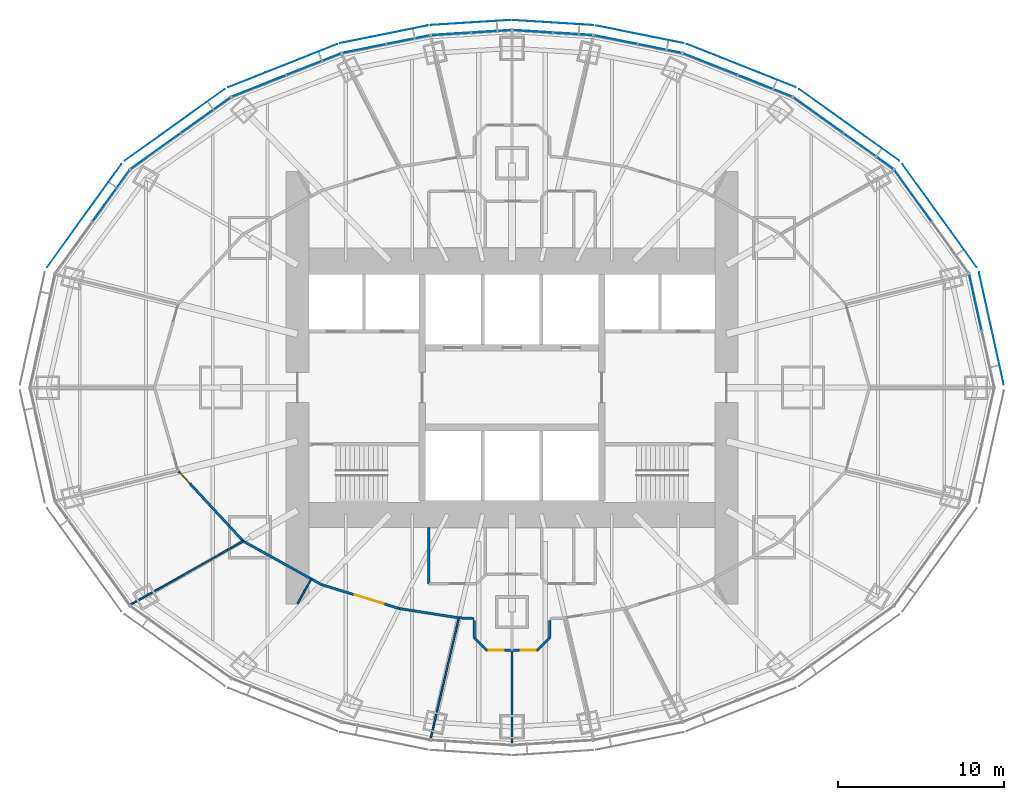
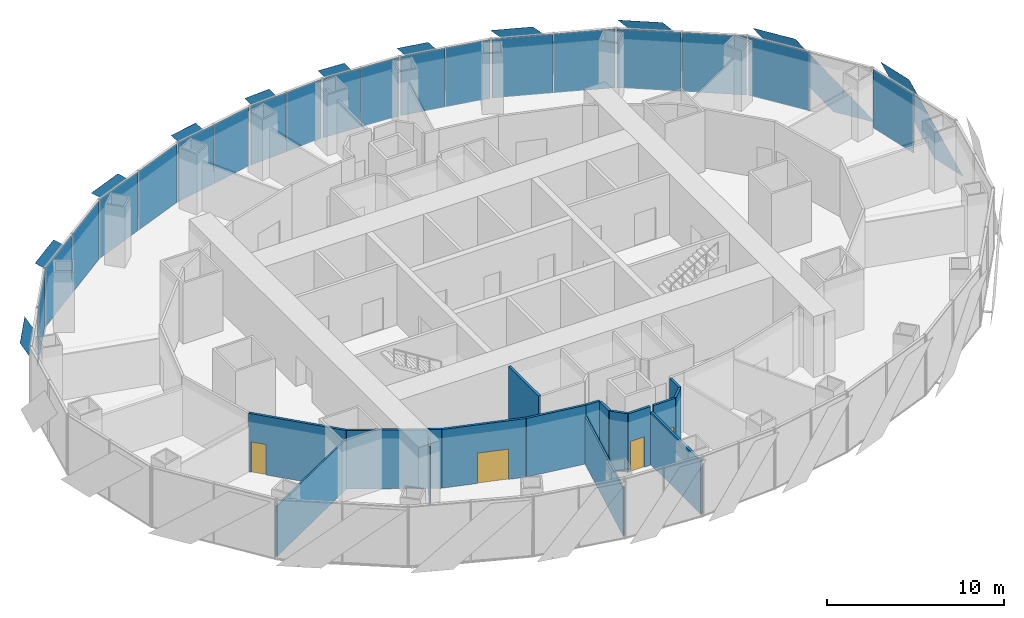
# One storey, part 10 of 17: 30 plates, 16 walls, 4 doors, 4 openings, 11 elements without a shape of their own.
"""IFC4 building model written with IfcOpenShell, lengths in metres."""

from ifc_helpers import new_model, si_unit, direction, frame, frame_2d, origin, origin_2d, place, context, subcontext, project, spatial, polyline, rectangle, outline, extrude, material, layer, layer_set, type_object, element, fill, aggregate, save


model = new_model("IFC4")

# Units and contexts
model_context = context("Model", 3, precision=1e-05, world=origin(), true_north=direction((0.0, 1.0)))
body_context = subcontext(model_context, "Body", "Model", "MODEL_VIEW")
ifc_project = project(units=[si_unit("LENGTHUNIT", "METRE"), si_unit("AREAUNIT", "SQUARE_METRE"), si_unit("VOLUMEUNIT", "CUBIC_METRE"), si_unit("PLANEANGLEUNIT", "RADIAN"), si_unit("MASSUNIT", "GRAM", prefix="KILO")], contexts=[model_context])

# Site, building, storey
site_placement = place(None, origin())
site = spatial("IfcSite", under=ifc_project, at=site_placement, CompositionType="ELEMENT")
building_placement = place(site_placement, origin())
building = spatial("IfcBuilding", under=site, at=building_placement, Name="Lantaw Convention Tower", CompositionType="ELEMENT")
storey_placement = place(building_placement, frame((0.0, 0.0, 159.39990234375)))
storey = spatial("IfcBuildingStorey", under=building, at=storey_placement, Name="L37", CompositionType="ELEMENT", Elevation=159.39990234375)

# Curtain wall, plate
ifc_material_1 = material(Name="Aluminium framed curtain wall", Category="aluminium")
curtain_wall_type = type_object("IfcCurtainWallType", Name="Office curtain wall low rise, pale aluminium", PredefinedType="USERDEFINED", material=ifc_material_1)
curtain_wall_1_placement = place(storey_placement, origin())
curtain_wall_1 = element("IfcCurtainWall", 1, at=curtain_wall_1_placement, inside=storey, type_object=curtain_wall_type, Name="Office curtain wall low rise, pale aluminium L37", ObjectType="UNITISED CURTAIN WALL", PredefinedType="USERDEFINED")
ifc_material_2 = material(Name="Clear insulating glass", Category="glass")
ifc_layer_1 = layer(ifc_material_2, 0.028076171875)
ifc_layer_set_1 = layer_set([ifc_layer_1], Name="CW-O1 panel 28")
plate_type_1 = type_object("IfcPlateType", Name="CW-O1 panel 28", PredefinedType="CURTAIN_PANEL", material=ifc_layer_set_1)
plate_1_placement = place(storey_placement, frame((27.868896484375, 5.1240234375, -0.0849609375), z_axis=(0.0, 0.0, 1.0), x_axis=(-0.215546166174, 0.9764936509, 0.0)))
plate_1 = element("IfcPlate", 2, at=plate_1_placement, type_object=plate_type_1, Name="CW-O1 panel 2.1", PredefinedType="CURTAIN_PANEL", context=body_context, shape_type="SweptSolid", body=[
    extrude(rectangle(XDim=3.41162109375, YDim=0.028076171875, at=origin_2d()), origin(), (0.0, 0.0, 1.0), 4.070068359375),
])
aggregate(curtain_wall_1, [plate_1])

curtain_wall_2_placement = place(storey_placement, origin())
curtain_wall_2 = element("IfcCurtainWall", 3, at=curtain_wall_2_placement, inside=storey, type_object=curtain_wall_type, Name="Office curtain wall low rise, pale aluminium L37", ObjectType="UNITISED CURTAIN WALL", PredefinedType="USERDEFINED")
plate_2_placement = place(storey_placement, frame((24.108154296875, 11.5439453125, -0.0849609375), z_axis=(0.0, 0.0, 1.0), x_axis=(-0.584512597221, 0.811384633629, 0.0)))
plate_2 = element("IfcPlate", 4, at=plate_2_placement, type_object=plate_type_1, Name="CW-O1 panel 2.1", PredefinedType="CURTAIN_PANEL", context=body_context, shape_type="SweptSolid", body=[
    extrude(rectangle(XDim=3.767333984375, YDim=0.028076171875, at=origin_2d()), origin(), (0.0, 0.0, 1.0), 4.070068359375),
])
aggregate(curtain_wall_2, [plate_2])

# Curtain wall, plates
curtain_wall_3_placement = place(storey_placement, origin())
curtain_wall_3 = element("IfcCurtainWall", 5, at=curtain_wall_3_placement, inside=storey, type_object=curtain_wall_type, Name="Office curtain wall low rise, pale aluminium L37", ObjectType="UNITISED CURTAIN WALL", PredefinedType="USERDEFINED")
plate_3_placement = place(storey_placement, frame((21.43408203125, 14.2236328125, -0.0849609375), z_axis=(0.0, 0.0, 1.0), x_axis=(-0.813208325995, 0.581972695693, 0.0)))
plate_3 = element("IfcPlate", 6, at=plate_3_placement, type_object=plate_type_1, Name="CW-O1 panel 1.1", PredefinedType="CURTAIN_PANEL", context=body_context, shape_type="SweptSolid", body=[
    extrude(rectangle(XDim=3.645263671875, YDim=0.028076171875, at=origin_2d()), origin(), (0.0, 0.0, 1.0), 4.070068359375),
])
plate_4_placement = place(storey_placement, frame((18.416748046875, 16.383056640625, -0.0849609375), z_axis=(0.0, 0.0, 1.0), x_axis=(-0.813208325995, 0.581972695693, 0.0)))
plate_4 = element("IfcPlate", 7, at=plate_4_placement, type_object=plate_type_1, Name="CW-O1 panel 2.1", PredefinedType="CURTAIN_PANEL", context=body_context, shape_type="SweptSolid", body=[
    extrude(rectangle(XDim=3.645263671875, YDim=0.028076171875, at=origin_2d()), origin(), (0.0, 0.0, 1.0), 4.070068359375),
])
aggregate(curtain_wall_3, [plate_3, plate_4])

curtain_wall_4_placement = place(storey_placement, origin())
curtain_wall_4 = element("IfcCurtainWall", 8, at=curtain_wall_4_placement, inside=storey, type_object=curtain_wall_type, Name="Office curtain wall low rise, pale aluminium L37", ObjectType="UNITISED CURTAIN WALL", PredefinedType="USERDEFINED")
plate_5_placement = place(storey_placement, frame((15.208251953125, 18.145263671875, -0.0849609375), z_axis=(0.0, 0.0, 1.0), x_axis=(-0.929547687544, 0.368701907483, 0.0)))
plate_5 = element("IfcPlate", 9, at=plate_5_placement, type_object=plate_type_1, Name="CW-O1 panel 1.1", PredefinedType="CURTAIN_PANEL", context=body_context, shape_type="SweptSolid", body=[
    extrude(rectangle(XDim=3.470703125, YDim=0.028076171875, at=origin_2d()), origin(), (0.0, 0.0, 1.0), 4.070068359375),
])
plate_6_placement = place(storey_placement, frame((11.921630859375, 19.448974609375, -0.0849609375), z_axis=(0.0, 0.0, 1.0), x_axis=(-0.929547687544, 0.368701907483, 0.0)))
plate_6 = element("IfcPlate", 10, at=plate_6_placement, type_object=plate_type_1, Name="CW-O1 panel 2.1", PredefinedType="CURTAIN_PANEL", context=body_context, shape_type="SweptSolid", body=[
    extrude(rectangle(XDim=3.470703125, YDim=0.028076171875, at=origin_2d()), origin(), (0.0, 0.0, 1.0), 4.070068359375),
])
aggregate(curtain_wall_4, [plate_5, plate_6])

curtain_wall_5_placement = place(storey_placement, origin())
curtain_wall_5 = element("IfcCurtainWall", 11, at=curtain_wall_5_placement, inside=storey, type_object=curtain_wall_type, Name="Office curtain wall low rise, pale aluminium L37", ObjectType="UNITISED CURTAIN WALL", PredefinedType="USERDEFINED")
plate_7_placement = place(storey_placement, frame((8.893310546875, 20.3857421875, -0.0849609375), z_axis=(0.0, 0.0, 1.0), x_axis=(-0.980301514912, 0.197506809659, 0.0)))
plate_7 = element("IfcPlate", 12, at=plate_7_placement, type_object=plate_type_1, Name="CW-O1 panel 1.1", PredefinedType="CURTAIN_PANEL", context=body_context, shape_type="SweptSolid", body=[
    extrude(rectangle(XDim=2.634033203125, YDim=0.028076171875, at=origin_2d()), origin(), (0.0, 0.0, 1.0), 4.070068359375),
])
plate_8_placement = place(storey_placement, frame((6.247314453125, 20.9189453125, -0.0849609375), z_axis=(0.0, 0.0, 1.0), x_axis=(-0.980301514912, 0.197506809659, 0.0)))
plate_8 = element("IfcPlate", 13, at=plate_8_placement, type_object=plate_type_1, Name="CW-O1 panel 2.1", PredefinedType="CURTAIN_PANEL", context=body_context, shape_type="SweptSolid", body=[
    extrude(rectangle(XDim=2.634033203125, YDim=0.028076171875, at=origin_2d()), origin(), (0.0, 0.0, 1.0), 4.070068359375),
])
aggregate(curtain_wall_5, [plate_7, plate_8])

curtain_wall_6_placement = place(storey_placement, origin())
curtain_wall_6 = element("IfcCurtainWall", 14, at=curtain_wall_6_placement, inside=storey, type_object=curtain_wall_type, Name="Office curtain wall low rise, pale aluminium L37", ObjectType="UNITISED CURTAIN WALL", PredefinedType="USERDEFINED")
plate_9_placement = place(storey_placement, frame((3.653076171875, 21.269775390625, -0.0849609375), z_axis=(0.0, 0.0, 1.0), x_axis=(-0.998022035978, 0.062865059466, 0.0)))
plate_9 = element("IfcPlate", 15, at=plate_9_placement, type_object=plate_type_1, Name="CW-O1 panel 1.1", PredefinedType="CURTAIN_PANEL", context=body_context, shape_type="SweptSolid", body=[
    extrude(rectangle(XDim=2.353515625, YDim=0.028076171875, at=origin_2d()), origin(), (0.0, 0.0, 1.0), 4.070068359375),
])
plate_10_placement = place(storey_placement, frame((1.2392578125, 21.421875, -0.0849609375), z_axis=(0.0, 0.0, 1.0), x_axis=(-0.998022035978, 0.062865059466, 0.0)))
plate_10 = element("IfcPlate", 16, at=plate_10_placement, type_object=plate_type_1, Name="CW-O1 panel 2.1", PredefinedType="CURTAIN_PANEL", context=body_context, shape_type="SweptSolid", body=[
    extrude(rectangle(XDim=2.353515625, YDim=0.028076171875, at=origin_2d()), origin(), (0.0, 0.0, 1.0), 4.070068359375),
])
aggregate(curtain_wall_6, [plate_9, plate_10])

curtain_wall_7_placement = place(storey_placement, origin())
curtain_wall_7 = element("IfcCurtainWall", 17, at=curtain_wall_7_placement, inside=storey, type_object=curtain_wall_type, Name="Office curtain wall low rise, pale aluminium L37", ObjectType="UNITISED CURTAIN WALL", PredefinedType="USERDEFINED")
plate_11_placement = place(storey_placement, frame((-1.2392578125, 21.421875, -0.0849609375), z_axis=(0.0, 0.0, 1.0), x_axis=(-0.998022035978, -0.062865059466, 0.0)))
plate_11 = element("IfcPlate", 18, at=plate_11_placement, type_object=plate_type_1, Name="CW-O1 panel 1.1", PredefinedType="CURTAIN_PANEL", context=body_context, shape_type="SweptSolid", body=[
    extrude(rectangle(XDim=2.353515625, YDim=0.028076171875, at=origin_2d()), origin(), (0.0, 0.0, 1.0), 4.070068359375),
])
plate_12_placement = place(storey_placement, frame((-3.653076171875, 21.269775390625, -0.0849609375), z_axis=(0.0, 0.0, 1.0), x_axis=(-0.998022035978, -0.062865059466, 0.0)))
plate_12 = element("IfcPlate", 19, at=plate_12_placement, type_object=plate_type_1, Name="CW-O1 panel 2.1", PredefinedType="CURTAIN_PANEL", context=body_context, shape_type="SweptSolid", body=[
    extrude(rectangle(XDim=2.353515625, YDim=0.028076171875, at=origin_2d()), origin(), (0.0, 0.0, 1.0), 4.070068359375),
])
aggregate(curtain_wall_7, [plate_11, plate_12])

curtain_wall_8_placement = place(storey_placement, origin())
curtain_wall_8 = element("IfcCurtainWall", 20, at=curtain_wall_8_placement, inside=storey, type_object=curtain_wall_type, Name="Office curtain wall low rise, pale aluminium L37", ObjectType="UNITISED CURTAIN WALL", PredefinedType="USERDEFINED")
plate_13_placement = place(storey_placement, frame((-6.247314453125, 20.9189453125, -0.0849609375), z_axis=(0.0, 0.0, 1.0), x_axis=(-0.980301514912, -0.197506809659, 0.0)))
plate_13 = element("IfcPlate", 21, at=plate_13_placement, type_object=plate_type_1, Name="CW-O1 panel 1.1", PredefinedType="CURTAIN_PANEL", context=body_context, shape_type="SweptSolid", body=[
    extrude(rectangle(XDim=2.634033203125, YDim=0.028076171875, at=origin_2d()), origin(), (0.0, 0.0, 1.0), 4.070068359375),
])
plate_14_placement = place(storey_placement, frame((-8.893310546875, 20.3857421875, -0.0849609375), z_axis=(0.0, 0.0, 1.0), x_axis=(-0.980301514912, -0.197506809659, 0.0)))
plate_14 = element("IfcPlate", 22, at=plate_14_placement, type_object=plate_type_1, Name="CW-O1 panel 2.1", PredefinedType="CURTAIN_PANEL", context=body_context, shape_type="SweptSolid", body=[
    extrude(rectangle(XDim=2.634033203125, YDim=0.028076171875, at=origin_2d()), origin(), (0.0, 0.0, 1.0), 4.070068359375),
])
aggregate(curtain_wall_8, [plate_13, plate_14])

curtain_wall_9_placement = place(storey_placement, origin())
curtain_wall_9 = element("IfcCurtainWall", 23, at=curtain_wall_9_placement, inside=storey, type_object=curtain_wall_type, Name="Office curtain wall low rise, pale aluminium L37", ObjectType="UNITISED CURTAIN WALL", PredefinedType="USERDEFINED")
plate_15_placement = place(storey_placement, frame((-11.921630859375, 19.448974609375, -0.0849609375), z_axis=(0.0, 0.0, 1.0), x_axis=(-0.929547687544, -0.368701907483, 0.0)))
plate_15 = element("IfcPlate", 24, at=plate_15_placement, type_object=plate_type_1, Name="CW-O1 panel 1.1", PredefinedType="CURTAIN_PANEL", context=body_context, shape_type="SweptSolid", body=[
    extrude(rectangle(XDim=3.470703125, YDim=0.028076171875, at=origin_2d()), origin(), (0.0, 0.0, 1.0), 4.070068359375),
])
plate_16_placement = place(storey_placement, frame((-15.208251953125, 18.145263671875, -0.0849609375), z_axis=(0.0, 0.0, 1.0), x_axis=(-0.929547687544, -0.368701907483, 0.0)))
plate_16 = element("IfcPlate", 25, at=plate_16_placement, type_object=plate_type_1, Name="CW-O1 panel 2.1", PredefinedType="CURTAIN_PANEL", context=body_context, shape_type="SweptSolid", body=[
    extrude(rectangle(XDim=3.470703125, YDim=0.028076171875, at=origin_2d()), origin(), (0.0, 0.0, 1.0), 4.070068359375),
])
aggregate(curtain_wall_9, [plate_15, plate_16])

curtain_wall_10_placement = place(storey_placement, origin())
curtain_wall_10 = element("IfcCurtainWall", 26, at=curtain_wall_10_placement, inside=storey, type_object=curtain_wall_type, Name="Office curtain wall low rise, pale aluminium L37", ObjectType="UNITISED CURTAIN WALL", PredefinedType="USERDEFINED")
plate_17_placement = place(storey_placement, frame((-18.416748046875, 16.383056640625, -0.0849609375), z_axis=(0.0, 0.0, 1.0), x_axis=(-0.813208325995, -0.581972695693, 0.0)))
plate_17 = element("IfcPlate", 27, at=plate_17_placement, type_object=plate_type_1, Name="CW-O1 panel 1.1", PredefinedType="CURTAIN_PANEL", context=body_context, shape_type="SweptSolid", body=[
    extrude(rectangle(XDim=3.645263671875, YDim=0.028076171875, at=origin_2d()), origin(), (0.0, 0.0, 1.0), 4.070068359375),
])
plate_18_placement = place(storey_placement, frame((-21.43408203125, 14.2236328125, -0.0849609375), z_axis=(0.0, 0.0, 1.0), x_axis=(-0.813208325995, -0.581972695693, 0.0)))
plate_18 = element("IfcPlate", 28, at=plate_18_placement, type_object=plate_type_1, Name="CW-O1 panel 2.1", PredefinedType="CURTAIN_PANEL", context=body_context, shape_type="SweptSolid", body=[
    extrude(rectangle(XDim=3.645263671875, YDim=0.028076171875, at=origin_2d()), origin(), (0.0, 0.0, 1.0), 4.070068359375),
])
aggregate(curtain_wall_10, [plate_17, plate_18])

# Curtain wall, plate
curtain_wall_11_placement = place(storey_placement, origin())
curtain_wall_11 = element("IfcCurtainWall", 29, at=curtain_wall_11_placement, inside=storey, type_object=curtain_wall_type, Name="Office curtain wall low rise, pale aluminium L37", ObjectType="UNITISED CURTAIN WALL", PredefinedType="USERDEFINED")
plate_19_placement = place(storey_placement, frame((-24.108154296875, 11.5439453125, -0.0849609375), z_axis=(0.0, 0.0, 1.0), x_axis=(-0.584512597221, -0.811384633629, 0.0)))
plate_19 = element("IfcPlate", 30, at=plate_19_placement, type_object=plate_type_1, Name="CW-O1 panel 1.1", PredefinedType="CURTAIN_PANEL", context=body_context, shape_type="SweptSolid", body=[
    extrude(rectangle(XDim=3.767333984375, YDim=0.028076171875, at=origin_2d()), origin(), (0.0, 0.0, 1.0), 4.070068359375),
])
aggregate(curtain_wall_11, [plate_19])

# Plates
ifc_material_3 = material(Name="Perforated aluminium sheet, pale silver finish", Category="aluminium")
ifc_layer_2 = layer(ifc_material_3, 0.006103515625)
ifc_layer_set_2 = layer_set([ifc_layer_2], Name="Perforated aluminium solar SCREEN panel")
plate_type_2 = type_object("IfcPlateType", Name="Perforated aluminium solar SCREEN panel", PredefinedType="SHEET", material=ifc_layer_set_2)
plate_20_placement = place(storey_placement, frame((29.5810546875, 0.179443359375, -0.1748046875), z_axis=(0.976497812463, 0.215527309509, 3.3329045e-05), x_axis=(-0.215527309629, 0.976497813005, 1.665e-09)))
element("IfcPlate", 31, at=plate_20_placement, inside=storey, type_object=plate_type_2, Name="Solar SCREEN panel", PredefinedType="SHEET", context=body_context, shape_type="SweptSolid", body=[
    extrude(outline(polyline([(0.0, 0.0), (2.3861843673609986, 0.0), (6.918240190546627, 4.339843740891906), (4.532108442157707, 4.339843748837556), (0.0, 0.0)])), origin(), (0.0, 0.0, -1.0), 0.006103515625),
])
plate_21_placement = place(storey_placement, frame((27.94970703125, 7.248046875, -0.1748046875), z_axis=(0.81139512159, 0.584498037099, 3.5888803e-05), x_axis=(-0.584498037475, 0.811395122112, -9.74e-10)))
element("IfcPlate", 32, at=plate_21_placement, inside=storey, type_object=plate_type_2, Name="Solar SCREEN panel", PredefinedType="SHEET", context=body_context, shape_type="SweptSolid", body=[
    extrude(outline(polyline([(0.0, 0.0), (2.628222178575422, -6.776263578034403e-21), (7.629778257969264, 4.339843760228519), (5.001754173906077, 4.339843755107391), (0.0, 0.0)])), origin(), (0.0, 0.0, -1.0), 0.006103515625),
])
plate_22_placement = place(storey_placement, frame((23.281005859375, 13.64697265625, -0.1748046875), z_axis=(0.582000183937, 0.813188653244, 1.1537794e-05), x_axis=(-0.813188653298, 0.582000183975, 0.0)))
element("IfcPlate", 33, at=plate_22_placement, inside=storey, type_object=plate_type_2, Name="Solar SCREEN panel", PredefinedType="SHEET", context=body_context, shape_type="SweptSolid", body=[
    extrude(outline(polyline([(0.0, 0.0), (2.5450183911586484, 1.6940658945086007e-21), (7.385531276904658, 4.339843750288861), (4.840512885746009, 4.339843750288861), (0.0, 0.0)])), origin(), (0.0, 0.0, -1.0), 0.006103515625),
])
plate_23_placement = place(storey_placement, frame((17.05859375, 18.063232421875, -0.1748046875), z_axis=(-0.368708915367, -0.929544907797, 1.0867661e-05), x_axis=(-0.929544907851, 0.368708915389, 7.1e-10)))
element("IfcPlate", 34, at=plate_23_placement, inside=storey, type_object=plate_type_2, Name="Solar SCREEN panel", PredefinedType="SHEET", context=body_context, shape_type="SweptSolid", body=[
    extrude(outline(polyline([(0.0, 0.0), (2.4263803793049097, 0.0), (7.036549629566982, -4.339843745261612), (4.61003232741235, -4.339843748706285), (0.0, 0.0)])), origin(), (0.0, 0.0, -1.0), 0.006103515625),
])
plate_24_placement = place(storey_placement, frame((10.318603515625, 20.716796875, -0.1748046875), z_axis=(0.197556725442, 0.980291455983, 3.9485719e-05), x_axis=(-0.980291456747, 0.197556725596, 0.0)))
element("IfcPlate", 35, at=plate_24_placement, inside=storey, type_object=plate_type_2, Name="Solar SCREEN panel", PredefinedType="SHEET", context=body_context, shape_type="SweptSolid", body=[
    extrude(outline(polyline([(0.0, 0.0), (1.8574075788555457, 1.6940658945086007e-21), (5.362987026845185, 4.339843753383173), (3.505579447989639, 4.339843753383173), (0.0, 0.0)])), origin(), (0.0, 0.0, -1.0), 0.006103515625),
])
plate_25_placement = place(storey_placement, frame((4.880615234375, 21.7998046875, -0.1748046875), z_axis=(0.062838799866, 0.998023689713, 1.755158e-06), x_axis=(-0.998023689715, 0.062838799866, -8e-12)))
element("IfcPlate", 36, at=plate_25_placement, inside=storey, type_object=plate_type_2, Name="Solar SCREEN panel", PredefinedType="SHEET", context=body_context, shape_type="SweptSolid", body=[
    extrude(outline(polyline([(0.0, 0.0), (1.6666243269452135, 2.6469779601696886e-23), (4.802214797186689, 4.339843750045478), (3.135346812114104, 4.33984375001855), (0.0, 0.0)])), origin(), (0.0, 0.0, -1.0), 0.006103515625),
])
plate_26_placement = place(storey_placement, frame((-0.087890625, 22.1015625, -0.1748046875), z_axis=(0.062838799866, -0.998023689713, 1.755158e-06), x_axis=(-0.998023689715, -0.062838799866, 8e-12)))
element("IfcPlate", 37, at=plate_26_placement, inside=storey, type_object=plate_type_2, Name="Solar SCREEN panel", PredefinedType="SHEET", context=body_context, shape_type="SweptSolid", body=[
    extrude(outline(polyline([(0.0, 0.0), (1.6668679850725854, -5.293955920339377e-23), (4.802214797256801, -4.339843749967897), (3.1355904703115876, -4.339843749994822), (0.0, 0.0)])), origin(), (0.0, 0.0, -1.0), 0.006103515625),
])
plate_27_placement = place(storey_placement, frame((-5.061279296875, 21.776123046875, -0.1748046875), z_axis=(0.197556725442, -0.980291455983, 3.9485719e-05), x_axis=(-0.980291456747, -0.197556725596, 0.0)))
element("IfcPlate", 38, at=plate_27_placement, inside=storey, type_object=plate_type_2, Name="Solar SCREEN panel", PredefinedType="SHEET", context=body_context, shape_type="SweptSolid", body=[
    extrude(outline(polyline([(0.0, 0.0), (1.8574075788555457, -1.6940658945086007e-21), (5.362987026845185, -4.339843753383173), (3.505579447989639, -4.339843753383173), (0.0, 0.0)])), origin(), (0.0, 0.0, -1.0), 0.006103515625),
])
plate_28_placement = place(storey_placement, frame((-10.517822265625, 20.65771484375, -0.1748046875), z_axis=(-0.368708915367, 0.929544907797, 1.0867661e-05), x_axis=(-0.929544907851, -0.368708915389, -7.1e-10)))
element("IfcPlate", 39, at=plate_28_placement, inside=storey, type_object=plate_type_2, Name="Solar SCREEN panel", PredefinedType="SHEET", context=body_context, shape_type="SweptSolid", body=[
    extrude(outline(polyline([(0.0, 0.0), (2.426517302154632, 1.6940658945086007e-21), (7.036549623406159, 4.339843755250667), (4.610169244101249, 4.339843751806188), (0.0, 0.0)])), origin(), (0.0, 0.0, -1.0), 0.006103515625),
])
plate_29_placement = place(storey_placement, frame((-17.275146484375, 17.9453125, -0.1748046875), z_axis=(0.582000183937, -0.813188653244, 1.1537794e-05), x_axis=(-0.813188653298, -0.582000183975, 0.0)))
element("IfcPlate", 40, at=plate_29_placement, inside=storey, type_object=plate_type_2, Name="Solar SCREEN panel", PredefinedType="SHEET", context=body_context, shape_type="SweptSolid", body=[
    extrude(outline(polyline([(0.0, 0.0), (2.5450183911586484, -1.6940658945086007e-21), (7.385531276904658, -4.339843750288861), (4.840512885746009, -4.339843750288861), (0.0, 0.0)])), origin(), (0.0, 0.0, -1.0), 0.006103515625),
])
plate_30_placement = place(storey_placement, frame((-23.489990234375, 13.438720703125, -0.1748046875), z_axis=(0.81139512159, -0.584498037099, 3.5888803e-05), x_axis=(-0.584498037475, -0.811395122112, 9.74e-10)))
element("IfcPlate", 41, at=plate_30_placement, inside=storey, type_object=plate_type_2, Name="Solar SCREEN panel", PredefinedType="SHEET", context=body_context, shape_type="SweptSolid", body=[
    extrude(outline(polyline([(0.0, 0.0), (2.6280240840631874, 6.776263578034403e-21), (7.62977826642615, -4.339843745360666), (5.001556087850728, -4.3398437504821805), (0.0, 0.0)])), origin(), (0.0, 0.0, -1.0), 0.006103515625),
])

# Wall, opening, door
ifc_material_4 = material(Name="Gypsum board on steel studs, fire rated", Category="steel")
ifc_layer_3 = layer(ifc_material_4, 0.14990234375)
ifc_layer_set_3 = layer_set([ifc_layer_3], Name="Corridor wall 150 EI 60")
wall_type_1 = type_object("IfcWallType", Name="Corridor wall 150 EI 60", PredefinedType="PARTITIONING", material=ifc_layer_set_3)
wall_1_placement = place(storey_placement, frame((-20.078369140625, -5.006103515625, 0.0), z_axis=(0.0, 0.0, 1.0), x_axis=(0.679724658223, -0.733467374191, 0.0)))
wall_1 = element("IfcWall", 42, at=wall_1_placement, inside=storey, type_object=wall_type_1, Name="Corridor wall 150", PredefinedType="PARTITIONING", context=body_context, shape_type="SweptSolid", body=[
    extrude(rectangle(XDim=5.764892578125, YDim=0.14990234375, at=frame_2d((2.88232421875, 0.0))), origin(), (0.0, 0.0, 1.0), 4.050048828125),
])
opening_1_placement = place(wall_1_placement, frame((0.14990234375, 0.0, 0.0)))
opening_1 = element("IfcOpeningElement", 43, at=opening_1_placement, cuts=wall_1, Name="Opening L37.31", PredefinedType="OPENING", context=body_context, shape_type="SweptSolid", body=[
    extrude(rectangle(XDim=0.89990234375, YDim=2.10009765625, at=frame_2d((0.449951171875, 1.050048828125))), frame((0.0, 0.0849609375, 0.0), z_axis=(0.0, -1.0, 0.0), x_axis=(1.0, 0.0, 0.0)), (0.0, 0.0, 1.0), 0.169921875),
])
ifc_material_5 = material(Name="Steel, fire rated", Category="steel")
door_type_1 = type_object("IfcDoorType", Name="Office door 900 FD30", OperationType="SINGLE_SWING_LEFT", PredefinedType="DOOR", material=ifc_material_5)
door_1_placement = place(opening_1_placement, origin())
door_1 = element("IfcDoor", 44, at=door_1_placement, inside=storey, type_object=door_type_1, Name="Private office door", OperationType="SINGLE_SWING_LEFT", OverallHeight=2.10009765625, OverallWidth=0.89990234375, PredefinedType="DOOR", context=body_context, shape_type="SweptSolid", body=[
    extrude(rectangle(XDim=0.89990234375, YDim=2.10009765625, at=frame_2d((0.449951171875, 1.050048828125))), frame((0.0, 0.02490234375, 0.0), z_axis=(0.0, -1.0, 0.0), x_axis=(1.0, 0.0, 0.0)), (0.0, 0.0, 1.0), 0.050048828125),
])
fill(opening_1, door_1)

# Wall
wall_2_placement = place(storey_placement, frame((-16.159912109375, -9.234375, 0.0), z_axis=(0.0, 0.0, 1.0), x_axis=(0.87433873028, -0.485316169865, 0.0)))
element("IfcWall", 45, at=wall_2_placement, inside=storey, type_object=wall_type_1, Name="Corridor wall 150", PredefinedType="PARTITIONING", context=body_context, shape_type="SweptSolid", body=[
    extrude(rectangle(XDim=5.392822265625, YDim=0.14990234375, at=frame_2d((2.6962890625, 0.0))), origin(), (0.0, 0.0, 1.0), 4.050048828125),
])

# Wall, opening, door
wall_3_placement = place(storey_placement, frame((-11.44482421875, -11.8515625, 0.0), z_axis=(0.0, 0.0, 1.0), x_axis=(0.955892284323, -0.293717450573, 0.0)))
wall_3 = element("IfcWall", 46, at=wall_3_placement, inside=storey, type_object=wall_type_1, Name="Corridor wall 150", PredefinedType="PARTITIONING", context=body_context, shape_type="SweptSolid", body=[
    extrude(rectangle(XDim=4.889892578125, YDim=0.14990234375, at=frame_2d((2.44482421875, 0.0))), origin(), (0.0, 0.0, 1.0), 4.050048828125),
])
opening_2_placement = place(wall_3_placement, frame((2.08154296875, 0.0, 0.0)))
opening_2 = element("IfcOpeningElement", 47, at=opening_2_placement, cuts=wall_3, Name="Opening L37.32", PredefinedType="OPENING", context=body_context, shape_type="SweptSolid", body=[
    extrude(rectangle(XDim=1.800048828125, YDim=2.10009765625, at=frame_2d((0.89990234375, 1.050048828125))), frame((0.0, 0.0849609375, 0.0), z_axis=(0.0, -1.0, 0.0), x_axis=(1.0, 0.0, 0.0)), (0.0, 0.0, 1.0), 0.169921875),
])
door_type_2 = type_object("IfcDoorType", Name="Office double door 1800 FD30", OperationType="DOUBLE_DOOR_DOUBLE_SWING", PredefinedType="DOOR", material=ifc_material_5)
door_2_placement = place(opening_2_placement, origin())
door_2 = element("IfcDoor", 48, at=door_2_placement, inside=storey, type_object=door_type_2, Name="Tenant suite door", OperationType="DOUBLE_DOOR_DOUBLE_SWING", OverallHeight=2.10009765625, OverallWidth=1.800048828125, PredefinedType="DOOR", context=body_context, shape_type="SweptSolid", body=[
    extrude(rectangle(XDim=1.800048828125, YDim=2.10009765625, at=frame_2d((0.89990234375, 1.050048828125))), frame((0.0, 0.02490234375, 0.0), z_axis=(0.0, -1.0, 0.0), x_axis=(1.0, 0.0, 0.0)), (0.0, 0.0, 1.0), 0.050048828125),
])
fill(opening_2, door_2)

# Walls
wall_4_placement = place(storey_placement, frame((-6.7705078125, -13.287841796875, 0.0), z_axis=(0.0, 0.0, 1.0), x_axis=(0.98808911792, -0.153882731479, 0.0)))
element("IfcWall", 49, at=wall_4_placement, inside=storey, type_object=wall_type_1, Name="Corridor wall 150", PredefinedType="PARTITIONING", context=body_context, shape_type="SweptSolid", body=[
    extrude(rectangle(XDim=3.6171875, YDim=0.14990234375, at=frame_2d((1.80859375, 0.0))), origin(), (0.0, 0.0, 1.0), 4.050048828125),
])
wall_5_placement = place(storey_placement, frame((-3.1962890625, -13.844482421875, 0.0), z_axis=(0.0, 0.0, 1.0), x_axis=(0.998826757305, -0.048426324366, 0.0)))
element("IfcWall", 50, at=wall_5_placement, inside=storey, type_object=wall_type_1, Name="Corridor wall 150", PredefinedType="PARTITIONING", context=body_context, shape_type="SweptSolid", body=[
    extrude(rectangle(XDim=0.90234375, YDim=0.14990234375, at=frame_2d((0.451171875, 0.0))), origin(), (0.0, 0.0, 1.0), 4.050048828125),
])
for number, where, z_axis, x_axis, name in (
    (51, (-2.284912109375, -15.0322265625, 0.0), (0.0, 0.0, 1.0), (0.0, 1.0, 0.0), "Corridor wall 150"),
    (52, (2.284912109375, -13.989990234375, 0.0), (0.0, 0.0, 1.0), (0.0, -1.0, 0.0), "Corridor wall 150"),
):
    element("IfcWall", number, at=place(storey_placement, frame(where, z_axis=z_axis, x_axis=x_axis)), inside=storey, type_object=wall_type_1, Name=name, PredefinedType="PARTITIONING", context=body_context, shape_type="SweptSolid", body=[
        extrude(rectangle(XDim=1.042236328125, YDim=0.14990234375, at=frame_2d((0.52099609375, 0.0))), origin(), (0.0, 0.0, 1.0), 4.050048828125),
    ])
wall_6_placement = place(storey_placement, frame((2.284912109375, -15.0322265625, 0.0), z_axis=(0.0, 0.0, 1.0), x_axis=(-0.707106781187, -0.707106781187, 0.0)))
element("IfcWall", 53, at=wall_6_placement, inside=storey, type_object=wall_type_1, Name="Corridor wall 150", PredefinedType="PARTITIONING", context=body_context, shape_type="SweptSolid", body=[
    extrude(rectangle(XDim=1.064453125, YDim=0.14990234375, at=frame_2d((0.5322265625, 0.0))), origin(), (0.0, 0.0, 1.0), 4.050048828125),
])

# Wall, opening, door
wall_7_placement = place(storey_placement, frame((1.5322265625, -15.784912109375, 0.0), z_axis=(0.0, 0.0, 1.0), x_axis=(-1.0, 0.0, 0.0)))
wall_7 = element("IfcWall", 54, at=wall_7_placement, inside=storey, type_object=wall_type_1, Name="Corridor wall 150", PredefinedType="PARTITIONING", context=body_context, shape_type="SweptSolid", body=[
    extrude(rectangle(XDim=1.428955078125, YDim=0.14990234375, at=frame_2d((0.71435546875, 0.0))), origin(), (0.0, 0.0, 1.0), 4.050048828125),
])
opening_3_placement = place(wall_7_placement, frame((0.10009765625, 0.0, 0.0)))
opening_3 = element("IfcOpeningElement", 55, at=opening_3_placement, cuts=wall_7, Name="Opening L37.34", PredefinedType="OPENING", context=body_context, shape_type="SweptSolid", body=[
    extrude(rectangle(XDim=0.89990234375, YDim=2.10009765625, at=frame_2d((0.449951171875, 1.050048828125))), frame((0.0, 0.0849609375, 0.0), z_axis=(0.0, -1.0, 0.0), x_axis=(1.0, 0.0, 0.0)), (0.0, 0.0, 1.0), 0.169921875),
])
door_3_placement = place(opening_3_placement, origin())
door_3 = element("IfcDoor", 56, at=door_3_placement, inside=storey, type_object=door_type_1, Name="Meeting room door", OperationType="SINGLE_SWING_LEFT", OverallHeight=2.10009765625, OverallWidth=0.89990234375, PredefinedType="DOOR", context=body_context, shape_type="SweptSolid", body=[
    extrude(rectangle(XDim=0.89990234375, YDim=2.10009765625, at=frame_2d((0.449951171875, 1.050048828125))), frame((0.0, 0.02490234375, 0.0), z_axis=(0.0, -1.0, 0.0), x_axis=(1.0, 0.0, 0.0)), (0.0, 0.0, 1.0), 0.050048828125),
])
fill(opening_3, door_3)

# Walls
ifc_material_6 = material(Name="Gypsum board on steel studs, acoustic", Category="steel")
ifc_layer_4 = layer(ifc_material_6, 0.10009765625)
ifc_layer_set_4 = layer_set([ifc_layer_4], Name="Office partition 100")
wall_type_2 = type_object("IfcWallType", Name="Office partition 100", PredefinedType="PARTITIONING", material=ifc_layer_set_4)
wall_8_placement = place(storey_placement, frame((-22.94921875, -13.058837890625, 0.0), z_axis=(0.0, 0.0, 1.0), x_axis=(0.871274989434, 0.490795163777, 0.0)))
element("IfcWall", 57, at=wall_8_placement, inside=storey, type_object=wall_type_2, Name="Office partition 100", PredefinedType="PARTITIONING", context=body_context, shape_type="SweptSolid", body=[
    extrude(rectangle(XDim=7.79248046875, YDim=0.10009765625, at=frame_2d((3.896240234375, 0.0))), origin(), (0.0, 0.0, 1.0), 3.45068359375),
])
wall_9_placement = place(storey_placement, frame((-4.89697265625, -21.134765625, 0.0), z_axis=(0.0, 0.0, 1.0), x_axis=(0.227181159974, 0.973852514785, 0.0)))
element("IfcWall", 58, at=wall_9_placement, inside=storey, type_object=wall_type_2, Name="Office partition 100", PredefinedType="PARTITIONING", context=body_context, shape_type="SweptSolid", body=[
    extrude(rectangle(XDim=7.486083984375, YDim=0.10009765625, at=frame_2d((3.7431640625, 0.0))), origin(), (0.0, 0.0, 1.0), 3.293212890625),
])
wall_10_placement = place(storey_placement, frame((-12.89990234375, -13.0, 0.0), z_axis=(0.0, 0.0, 1.0), x_axis=(0.485339901234, 0.87432555737, 0.0)))
element("IfcWall", 59, at=wall_10_placement, inside=storey, type_object=wall_type_2, Name="Office partition 100", PredefinedType="PARTITIONING", context=body_context, shape_type="SweptSolid", body=[
    extrude(rectangle(XDim=1.710205078125, YDim=0.10009765625, at=frame_2d((0.85498046875, 0.0))), origin(), (0.0, 0.0, 1.0), 4.050048828125),
])
ifc_layer_5 = layer(ifc_material_4, 0.14990234375)
ifc_layer_set_5 = layer_set([ifc_layer_5], Name="Tenant separation wall 150 EI 60")
wall_type_3 = type_object("IfcWallType", Name="Tenant separation wall 150 EI 60", PredefinedType="PARTITIONING", material=ifc_layer_set_5)
wall_11_placement = place(storey_placement, frame((0.0, -21.44482421875, 0.0), z_axis=(0.0, 0.0, 1.0), x_axis=(0.0, 1.0, 0.0)))
element("IfcWall", 60, at=wall_11_placement, inside=storey, type_object=wall_type_3, Name="Tenant separation wall 150", PredefinedType="PARTITIONING", context=body_context, shape_type="SweptSolid", body=[
    extrude(rectangle(XDim=5.64990234375, YDim=0.14990234375, at=frame_2d((2.824951171875, 0.0))), origin(), (0.0, 0.0, 1.0), 3.646240234375),
])

# Wall, opening, door
wall_12_placement = place(storey_placement, frame((-0.103271484375, -15.784912109375, 0.0), z_axis=(0.0, 0.0, 1.0), x_axis=(-1.0, 0.0, 0.0)))
wall_12 = element("IfcWall", 61, at=wall_12_placement, inside=storey, type_object=wall_type_3, Name="Tenant separation wall 150", PredefinedType="PARTITIONING", context=body_context, shape_type="SweptSolid", body=[
    extrude(rectangle(XDim=1.428955078125, YDim=0.14990234375, at=frame_2d((0.71435546875, 0.0))), origin(), (0.0, 0.0, 1.0), 4.050048828125),
])
opening_4_placement = place(wall_12_placement, frame((0.39990234375, 0.0, 0.0)))
opening_4 = element("IfcOpeningElement", 62, at=opening_4_placement, cuts=wall_12, Name="Opening L37.33", PredefinedType="OPENING", context=body_context, shape_type="SweptSolid", body=[
    extrude(rectangle(XDim=0.89990234375, YDim=2.10009765625, at=frame_2d((0.449951171875, 1.050048828125))), frame((0.0, 0.0849609375, 0.0), z_axis=(0.0, -1.0, 0.0), x_axis=(1.0, 0.0, 0.0)), (0.0, 0.0, 1.0), 0.169921875),
])
door_4_placement = place(opening_4_placement, origin())
door_4 = element("IfcDoor", 63, at=door_4_placement, inside=storey, type_object=door_type_1, Name="Pantry door", OperationType="SINGLE_SWING_LEFT", OverallHeight=2.10009765625, OverallWidth=0.89990234375, PredefinedType="DOOR", context=body_context, shape_type="SweptSolid", body=[
    extrude(rectangle(XDim=0.89990234375, YDim=2.10009765625, at=frame_2d((0.449951171875, 1.050048828125))), frame((0.0, 0.02490234375, 0.0), z_axis=(0.0, -1.0, 0.0), x_axis=(1.0, 0.0, 0.0)), (0.0, 0.0, 1.0), 0.050048828125),
])
fill(opening_4, door_4)

# Walls
wall_13_placement = place(storey_placement, frame((-1.5322265625, -15.784912109375, 0.0), z_axis=(0.0, 0.0, 1.0), x_axis=(-0.707106781187, 0.707106781187, 0.0)))
element("IfcWall", 64, at=wall_13_placement, inside=storey, type_object=wall_type_3, Name="Tenant separation wall 150", PredefinedType="PARTITIONING", context=body_context, shape_type="SweptSolid", body=[
    extrude(rectangle(XDim=1.064453125, YDim=0.14990234375, at=frame_2d((0.5322265625, 0.0))), origin(), (0.0, 0.0, 1.0), 4.050048828125),
])
ifc_material_7 = material(Name="Concrete blockwork", Category="masonry")
ifc_layer_6 = layer(ifc_material_7, 0.14990234375)
ifc_layer_set_6 = layer_set([ifc_layer_6], Name="WC wall 150")
wall_type_4 = type_object("IfcWallType", Name="WC wall 150", PredefinedType="SOLIDWALL", material=ifc_layer_set_6)
wall_14_placement = place(storey_placement, frame((-5.0, -8.39990234375, 0.0), z_axis=(0.0, 0.0, 1.0), x_axis=(0.0, -1.0, 0.0)))
element("IfcWall", 65, at=wall_14_placement, inside=storey, type_object=wall_type_4, Name="WC wall 150", PredefinedType="SOLIDWALL", context=body_context, shape_type="SweptSolid", body=[
    extrude(rectangle(XDim=3.400146484375, YDim=0.14990234375, at=frame_2d((1.7001953125, 0.0))), origin(), (0.0, 0.0, 1.0), 4.050048828125),
])

save(model, "model.ifc")
